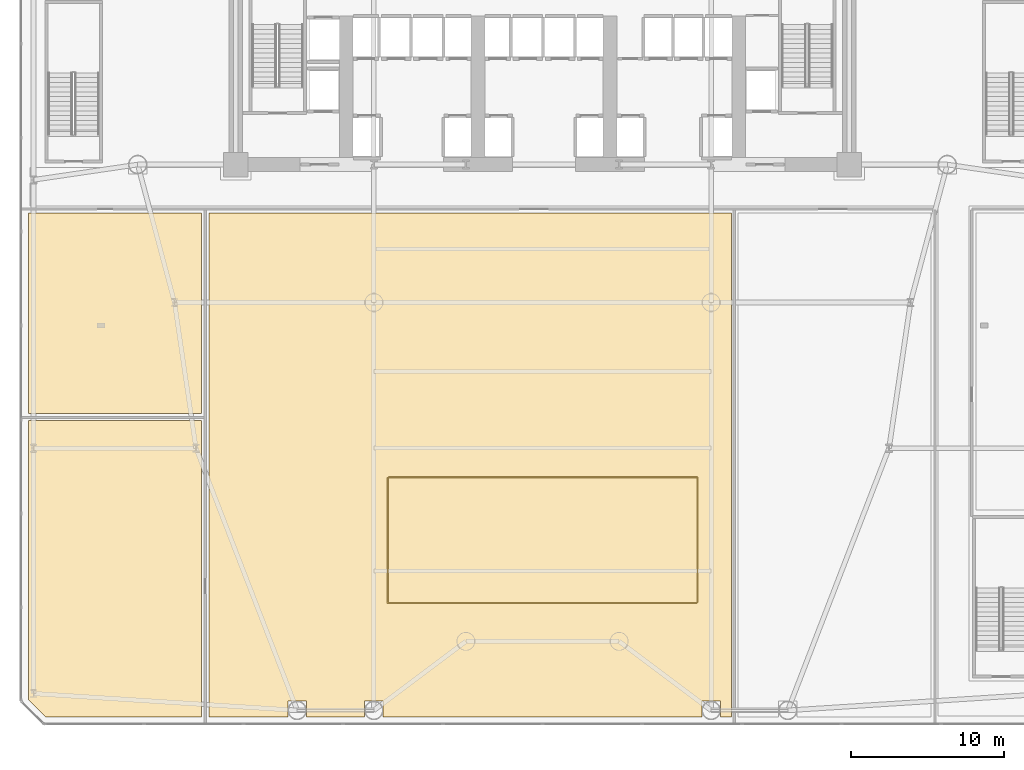
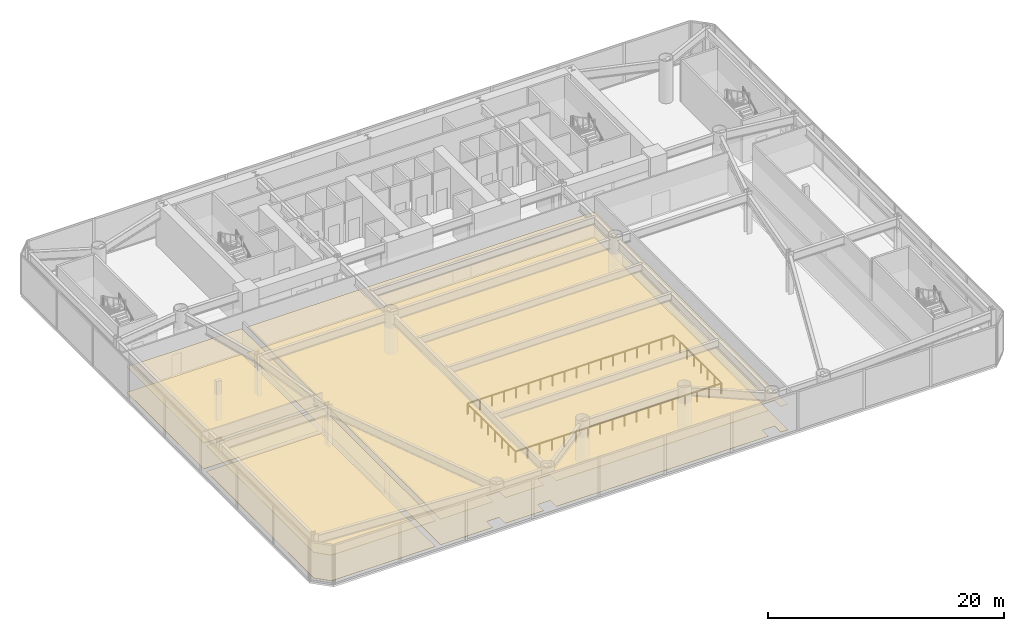
# One storey, part 18 of 24: 6 coverings, 2 railings.
"""IFC4 building model written with IfcOpenShell, lengths in metres."""

from ifc_helpers import new_model, si_unit, direction, frame, origin, origin_2d, place, context, subcontext, project, spatial, polyline, circle, outline, extrude, material, layer, layer_set, type_object, element, save


model = new_model("IFC4")

# Units and contexts
model_context = context("Model", 3, precision=1e-05, world=origin(), true_north=direction((0.0, 1.0)))
body_context = subcontext(model_context, "Body", "Model", "MODEL_VIEW")
ifc_project = project(units=[si_unit("LENGTHUNIT", "METRE"), si_unit("AREAUNIT", "SQUARE_METRE"), si_unit("VOLUMEUNIT", "CUBIC_METRE"), si_unit("PLANEANGLEUNIT", "RADIAN"), si_unit("MASSUNIT", "GRAM", prefix="KILO")], contexts=[model_context])

# Site, building, storey
site_placement = place(None, origin())
site = spatial("IfcSite", under=ifc_project, at=site_placement, CompositionType="ELEMENT")
building_placement = place(site_placement, origin())
building = spatial("IfcBuilding", under=site, at=building_placement, Name="Vaeldorn Concourse Tower", CompositionType="ELEMENT")
storey_placement = place(building_placement, frame((0.0, 0.0, 5.60009765625)))
storey = spatial("IfcBuildingStorey", under=building, at=storey_placement, Name="L01", CompositionType="ELEMENT", Elevation=5.60009765625)

# Coverings
ifc_material_1 = material(Name="Acoustic Mineral Fibre Board", Category="gypsum")
ifc_layer_1 = layer(ifc_material_1, 0.0400390625)
ifc_layer_set_1 = layer_set([ifc_layer_1], Name="Acoustic Mineral Fibre Board")
covering_type_1 = type_object("IfcCoveringType", Name="COV-CEIL-ACOUSTIC", PredefinedType="CEILING", material=ifc_layer_set_1)
covering_1_placement = place(storey_placement, frame((0.0, 0.0, 2.64990234375)))
element("IfcCovering", 1, at=covering_1_placement, inside=storey, type_object=covering_type_1, Name="Suspended Acoustic Ceiling L01-4", PredefinedType="CEILING", context=body_context, shape_type="SweptSolid", body=[
    extrude(outline(polyline([(46.320068359375, 33.340087890625), (46.320068359375, 0.47998046875), (45.609619140625, 0.47998046875), (45.609619140625, 1.509521484375), (44.390380859375, 1.509521484375), (44.390380859375, 0.47998046875), (23.609619140625, 0.47998046875), (23.609619140625, 1.509521484375), (22.390380859375, 1.509521484375), (22.390380859375, 0.47998046875), (18.609619140625, 0.47998046875), (18.609619140625, 1.509521484375), (17.390380859375, 1.509521484375), (17.390380859375, 0.47998046875), (12.260009765625, 0.47998046875), (12.260009765625, 33.340087890625), (46.320068359375, 33.340087890625)])), origin(), (0.0, 0.0, 1.0), 0.0400390625),
])
covering_2_placement = place(storey_placement, frame((0.0, 0.0, 2.64990234375)))
element("IfcCovering", 2, at=covering_2_placement, inside=storey, type_object=covering_type_1, Name="Suspended Acoustic Ceiling L01-6", PredefinedType="CEILING", context=body_context, shape_type="SweptSolid", body=[
    extrude(outline(polyline([(0.47998046875, 19.820068359375), (11.77001953125, 19.820068359375), (11.77001953125, 0.47998046875), (1.585693359375, 0.47998046875), (0.47998046875, 1.585693359375), (0.47998046875, 19.820068359375)])), origin(), (0.0, 0.0, 1.0), 0.0400390625),
])
covering_3_placement = place(storey_placement, frame((0.0, 0.0, 2.64990234375)))
element("IfcCovering", 3, at=covering_3_placement, inside=storey, type_object=covering_type_1, Name="Suspended Acoustic Ceiling L01-7", PredefinedType="CEILING", context=body_context, shape_type="SweptSolid", body=[
    extrude(outline(polyline([(0.47998046875, 33.340087890625), (11.77001953125, 33.340087890625), (11.77001953125, 20.260009765625), (0.47998046875, 20.260009765625), (0.47998046875, 33.340087890625)])), origin(), (0.0, 0.0, 1.0), 0.0400390625),
])
ifc_material_2 = material(Name="Honed Limestone Terrazzo Flooring", Category="masonry")
ifc_layer_2 = layer(ifc_material_2, 0.0400390625)
ifc_layer_set_2 = layer_set([ifc_layer_2], Name="Honed Limestone Terrazzo Flooring")
covering_type_2 = type_object("IfcCoveringType", Name="COV-FLOOR-STONE", PredefinedType="FLOORING", material=ifc_layer_set_2)
covering_4_placement = place(storey_placement, origin())
element("IfcCovering", 4, at=covering_4_placement, inside=storey, type_object=covering_type_2, Name="Floor Finish Covering L01-4", PredefinedType="FLOORING", context=body_context, shape_type="SweptSolid", body=[
    extrude(outline(polyline([(46.320068359375, 33.340087890625), (46.320068359375, 0.47998046875), (45.609619140625, 0.47998046875), (45.609619140625, 1.509521484375), (44.390380859375, 1.509521484375), (44.390380859375, 0.47998046875), (23.609619140625, 0.47998046875), (23.609619140625, 1.509521484375), (22.390380859375, 1.509521484375), (22.390380859375, 0.47998046875), (18.609619140625, 0.47998046875), (18.609619140625, 1.509521484375), (17.390380859375, 1.509521484375), (17.390380859375, 0.47998046875), (12.260009765625, 0.47998046875), (12.260009765625, 33.340087890625), (46.320068359375, 33.340087890625)])), origin(), (0.0, 0.0, 1.0), 0.02978515625),
])
covering_5_placement = place(storey_placement, origin())
element("IfcCovering", 5, at=covering_5_placement, inside=storey, type_object=covering_type_2, Name="Floor Finish Covering L01-6", PredefinedType="FLOORING", context=body_context, shape_type="SweptSolid", body=[
    extrude(outline(polyline([(0.47998046875, 19.820068359375), (11.77001953125, 19.820068359375), (11.77001953125, 0.47998046875), (1.585693359375, 0.47998046875), (0.47998046875, 1.585693359375), (0.47998046875, 19.820068359375)])), origin(), (0.0, 0.0, 1.0), 0.02978515625),
])
covering_6_placement = place(storey_placement, origin())
element("IfcCovering", 6, at=covering_6_placement, inside=storey, type_object=covering_type_2, Name="Floor Finish Covering L01-7", PredefinedType="FLOORING", context=body_context, shape_type="SweptSolid", body=[
    extrude(outline(polyline([(0.47998046875, 33.340087890625), (11.77001953125, 33.340087890625), (11.77001953125, 20.260009765625), (0.47998046875, 20.260009765625), (0.47998046875, 33.340087890625)])), origin(), (0.0, 0.0, 1.0), 0.02978515625),
])

# Railings
ifc_material_3 = material(Name="Anodised Bronze Aluminium", Category="aluminium")
railing_type = type_object("IfcRailingType", Name="RL-BALUSTRADE-1150", PredefinedType="BALUSTRADE", material=ifc_material_3)
railing_1_placement = place(storey_placement, frame((44.0400390625, 7.89990234375, 0.0)))
element("IfcRailing", 7, at=railing_1_placement, inside=storey, type_object=railing_type, Name="Station Mezzanine Overlook Balustrade L01 SW", PredefinedType="BALUSTRADE", context=body_context, shape_type="SweptSolid", body=[
    extrude(circle(Radius=0.02392578125, at=origin_2d()), frame((0.0, 0.0, 1.1259765625), z_axis=(-1.0, 0.0, 0.0), x_axis=(0.0, -1.0, 0.0)), (0.0, 0.0, 1.0), 20.14013671875),
    extrude(circle(Radius=0.02392578125, at=origin_2d()), frame((-20.14013671875, 0.0, 1.1259765625), z_axis=(0.0, 1.0, 0.0), x_axis=(-1.0, 0.0, 0.0)), (0.0, 0.0, 1.0), 8.14013671875),
    extrude(circle(Radius=0.02099609375, at=origin_2d()), origin(), (0.0, 0.0, 1.0), 1.101806640625),
    extrude(circle(Radius=0.02099609375, at=origin_2d()), frame((-1.184814453125, 0.0, 0.0)), (0.0, 0.0, 1.0), 1.101806640625),
    extrude(circle(Radius=0.02099609375, at=origin_2d()), frame((-2.369384765625, 0.0, 0.0)), (0.0, 0.0, 1.0), 1.101806640625),
    extrude(circle(Radius=0.02099609375, at=origin_2d()), frame((-3.55419921875, 0.0, 0.0)), (0.0, 0.0, 1.0), 1.101806640625),
    extrude(circle(Radius=0.02099609375, at=origin_2d()), frame((-4.73876953125, 0.0, 0.0)), (0.0, 0.0, 1.0), 1.101806640625),
    extrude(circle(Radius=0.02099609375, at=origin_2d()), frame((-5.923583984375, 0.0, 0.0)), (0.0, 0.0, 1.0), 1.101806640625),
    extrude(circle(Radius=0.02099609375, at=origin_2d()), frame((-7.1083984375, 0.0, 0.0)), (0.0, 0.0, 1.0), 1.101806640625),
    extrude(circle(Radius=0.02099609375, at=origin_2d()), frame((-8.29296875, 0.0, 0.0)), (0.0, 0.0, 1.0), 1.101806640625),
    extrude(circle(Radius=0.02099609375, at=origin_2d()), frame((-9.477783203125, 0.0, 0.0)), (0.0, 0.0, 1.0), 1.101806640625),
    extrude(circle(Radius=0.02099609375, at=origin_2d()), frame((-10.662353515625, 0.0, 0.0)), (0.0, 0.0, 1.0), 1.101806640625),
    extrude(circle(Radius=0.02099609375, at=origin_2d()), frame((-11.84716796875, 0.0, 0.0)), (0.0, 0.0, 1.0), 1.101806640625),
    extrude(circle(Radius=0.02099609375, at=origin_2d()), frame((-13.03173828125, 0.0, 0.0)), (0.0, 0.0, 1.0), 1.101806640625),
    extrude(circle(Radius=0.02099609375, at=origin_2d()), frame((-14.216552734375, 0.0, 0.0)), (0.0, 0.0, 1.0), 1.101806640625),
    extrude(circle(Radius=0.02099609375, at=origin_2d()), frame((-15.4013671875, 0.0, 0.0)), (0.0, 0.0, 1.0), 1.101806640625),
    extrude(circle(Radius=0.02099609375, at=origin_2d()), frame((-16.5859375, 0.0, 0.0)), (0.0, 0.0, 1.0), 1.101806640625),
    extrude(circle(Radius=0.02099609375, at=origin_2d()), frame((-17.770751953125, 0.0, 0.0)), (0.0, 0.0, 1.0), 1.101806640625),
    extrude(circle(Radius=0.02099609375, at=origin_2d()), frame((-18.955322265625, 0.0, 0.0)), (0.0, 0.0, 1.0), 1.101806640625),
    extrude(circle(Radius=0.02099609375, at=origin_2d()), frame((-20.14013671875, 0.0, 0.0)), (0.0, 0.0, 1.0), 1.101806640625),
    extrude(circle(Radius=0.02099609375, at=origin_2d()), frame((-20.14013671875, 1.162841796875, 0.0)), (0.0, 0.0, 1.0), 1.101806640625),
    extrude(circle(Radius=0.02099609375, at=origin_2d()), frame((-20.14013671875, 2.32568359375, 0.0)), (0.0, 0.0, 1.0), 1.101806640625),
    extrude(circle(Radius=0.02099609375, at=origin_2d()), frame((-20.14013671875, 3.488525390625, 0.0)), (0.0, 0.0, 1.0), 1.101806640625),
    extrude(circle(Radius=0.02099609375, at=origin_2d()), frame((-20.14013671875, 4.651611328125, 0.0)), (0.0, 0.0, 1.0), 1.101806640625),
    extrude(circle(Radius=0.02099609375, at=origin_2d()), frame((-20.14013671875, 5.814453125, 0.0)), (0.0, 0.0, 1.0), 1.101806640625),
    extrude(circle(Radius=0.02099609375, at=origin_2d()), frame((-20.14013671875, 6.977294921875, 0.0)), (0.0, 0.0, 1.0), 1.101806640625),
    extrude(circle(Radius=0.02099609375, at=origin_2d()), frame((-20.14013671875, 8.14013671875, 0.0)), (0.0, 0.0, 1.0), 1.101806640625),
])
railing_2_placement = place(storey_placement, frame((23.9599609375, 16.10009765625, 0.0)))
element("IfcRailing", 8, at=railing_2_placement, inside=storey, type_object=railing_type, Name="Station Mezzanine Overlook Balustrade L01 NE", PredefinedType="BALUSTRADE", context=body_context, shape_type="SweptSolid", body=[
    extrude(circle(Radius=0.02392578125, at=origin_2d()), frame((0.0, 0.0, 1.1259765625), z_axis=(1.0, 0.0, 0.0), x_axis=(0.0, 1.0, 0.0)), (0.0, 0.0, 1.0), 20.14013671875),
    extrude(circle(Radius=0.02392578125, at=origin_2d()), frame((20.14013671875, 0.0, 1.1259765625), z_axis=(0.0, -1.0, 0.0), x_axis=(1.0, 0.0, 0.0)), (0.0, 0.0, 1.0), 8.14013671875),
    extrude(circle(Radius=0.02099609375, at=origin_2d()), origin(), (0.0, 0.0, 1.0), 1.101806640625),
    extrude(circle(Radius=0.02099609375, at=origin_2d()), frame((1.184814453125, 0.0, 0.0)), (0.0, 0.0, 1.0), 1.101806640625),
    extrude(circle(Radius=0.02099609375, at=origin_2d()), frame((2.369384765625, 0.0, 0.0)), (0.0, 0.0, 1.0), 1.101806640625),
    extrude(circle(Radius=0.02099609375, at=origin_2d()), frame((3.55419921875, 0.0, 0.0)), (0.0, 0.0, 1.0), 1.101806640625),
    extrude(circle(Radius=0.02099609375, at=origin_2d()), frame((4.73876953125, 0.0, 0.0)), (0.0, 0.0, 1.0), 1.101806640625),
    extrude(circle(Radius=0.02099609375, at=origin_2d()), frame((5.923583984375, 0.0, 0.0)), (0.0, 0.0, 1.0), 1.101806640625),
    extrude(circle(Radius=0.02099609375, at=origin_2d()), frame((7.1083984375, 0.0, 0.0)), (0.0, 0.0, 1.0), 1.101806640625),
    extrude(circle(Radius=0.02099609375, at=origin_2d()), frame((8.29296875, 0.0, 0.0)), (0.0, 0.0, 1.0), 1.101806640625),
    extrude(circle(Radius=0.02099609375, at=origin_2d()), frame((9.477783203125, 0.0, 0.0)), (0.0, 0.0, 1.0), 1.101806640625),
    extrude(circle(Radius=0.02099609375, at=origin_2d()), frame((10.662353515625, 0.0, 0.0)), (0.0, 0.0, 1.0), 1.101806640625),
    extrude(circle(Radius=0.02099609375, at=origin_2d()), frame((11.84716796875, 0.0, 0.0)), (0.0, 0.0, 1.0), 1.101806640625),
    extrude(circle(Radius=0.02099609375, at=origin_2d()), frame((13.03173828125, 0.0, 0.0)), (0.0, 0.0, 1.0), 1.101806640625),
    extrude(circle(Radius=0.02099609375, at=origin_2d()), frame((14.216552734375, 0.0, 0.0)), (0.0, 0.0, 1.0), 1.101806640625),
    extrude(circle(Radius=0.02099609375, at=origin_2d()), frame((15.4013671875, 0.0, 0.0)), (0.0, 0.0, 1.0), 1.101806640625),
    extrude(circle(Radius=0.02099609375, at=origin_2d()), frame((16.5859375, 0.0, 0.0)), (0.0, 0.0, 1.0), 1.101806640625),
    extrude(circle(Radius=0.02099609375, at=origin_2d()), frame((17.770751953125, 0.0, 0.0)), (0.0, 0.0, 1.0), 1.101806640625),
    extrude(circle(Radius=0.02099609375, at=origin_2d()), frame((18.955322265625, 0.0, 0.0)), (0.0, 0.0, 1.0), 1.101806640625),
    extrude(circle(Radius=0.02099609375, at=origin_2d()), frame((20.14013671875, 0.0, 0.0)), (0.0, 0.0, 1.0), 1.101806640625),
    extrude(circle(Radius=0.02099609375, at=origin_2d()), frame((20.14013671875, -1.162841796875, 0.0)), (0.0, 0.0, 1.0), 1.101806640625),
    extrude(circle(Radius=0.02099609375, at=origin_2d()), frame((20.14013671875, -2.32568359375, 0.0)), (0.0, 0.0, 1.0), 1.101806640625),
    extrude(circle(Radius=0.02099609375, at=origin_2d()), frame((20.14013671875, -3.488525390625, 0.0)), (0.0, 0.0, 1.0), 1.101806640625),
    extrude(circle(Radius=0.02099609375, at=origin_2d()), frame((20.14013671875, -4.651611328125, 0.0)), (0.0, 0.0, 1.0), 1.101806640625),
    extrude(circle(Radius=0.02099609375, at=origin_2d()), frame((20.14013671875, -5.814453125, 0.0)), (0.0, 0.0, 1.0), 1.101806640625),
    extrude(circle(Radius=0.02099609375, at=origin_2d()), frame((20.14013671875, -6.977294921875, 0.0)), (0.0, 0.0, 1.0), 1.101806640625),
    extrude(circle(Radius=0.02099609375, at=origin_2d()), frame((20.14013671875, -8.14013671875, 0.0)), (0.0, 0.0, 1.0), 1.101806640625),
])

save(model, "model.ifc")
